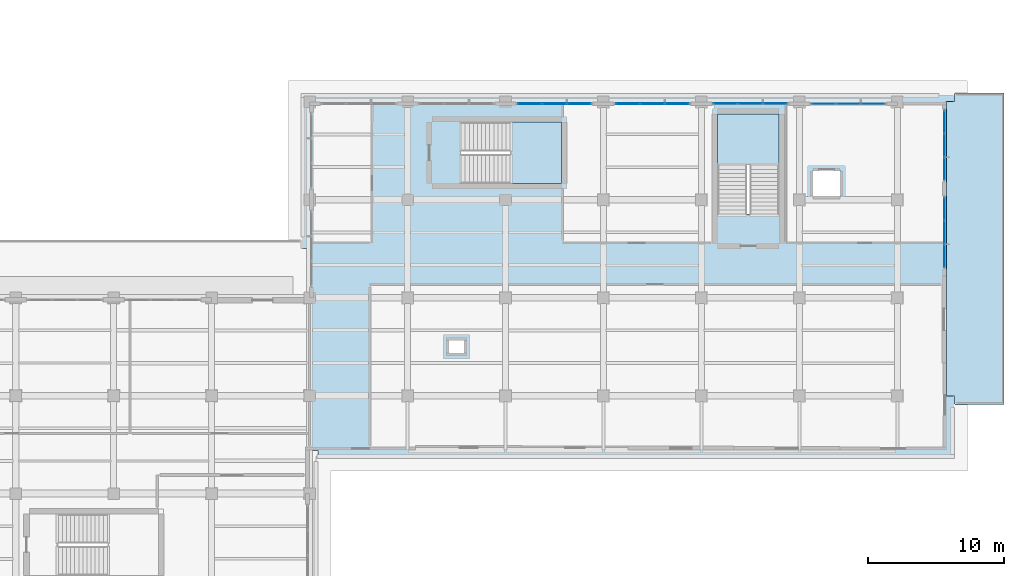
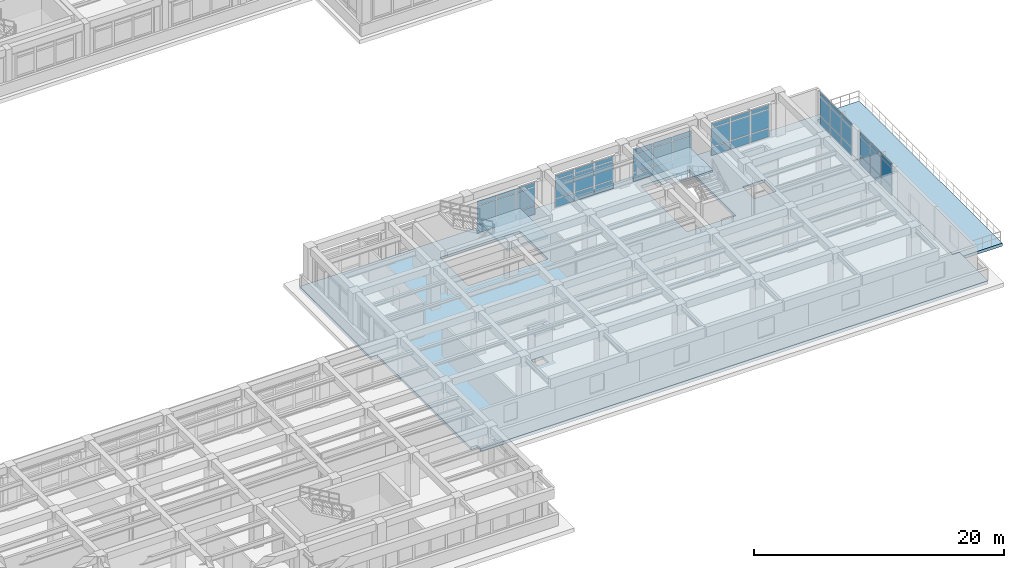
# One storey, part 75 of 98: 54 plates, 4 slabs, 8 elements without a shape of their own.
"""IFC4 building model written with IfcOpenShell, lengths in metres."""

from ifc_helpers import new_model, si_unit, direction, frame, origin, origin_2d, place, context, subcontext, project, spatial, polyline, rectangle, outline, extrude, material, layer, layer_set, type_object, element, aggregate, save


model = new_model("IFC4")

# Units and contexts
model_context = context("Model", 3, precision=1e-05, world=origin(), true_north=direction((0.0, 1.0)))
body_context = subcontext(model_context, "Body", "Model", "MODEL_VIEW")
ifc_project = project(units=[si_unit("LENGTHUNIT", "METRE"), si_unit("AREAUNIT", "SQUARE_METRE"), si_unit("VOLUMEUNIT", "CUBIC_METRE"), si_unit("PLANEANGLEUNIT", "RADIAN"), si_unit("MASSUNIT", "GRAM", prefix="KILO")], contexts=[model_context])

# Site, building, storey
site_placement = place(None, origin())
site = spatial("IfcSite", under=ifc_project, at=site_placement, CompositionType="ELEMENT")
building_placement = place(site_placement, origin())
building = spatial("IfcBuilding", under=site, at=building_placement, Name="Solenvale Faculty of Natural Sciences", CompositionType="ELEMENT")
storey_placement = place(building_placement, frame((0.0, 0.0, 9.0)))
storey = spatial("IfcBuildingStorey", under=building, at=storey_placement, Name="L02", CompositionType="ELEMENT", Elevation=9.0)

# Curtain wall, plates
ifc_material_1 = material(Name="Anodised bronze aluminium", Category="aluminium")
ifc_layer_1 = layer(ifc_material_1, 0.199951171875)
ifc_layer_set_1 = layer_set([ifc_layer_1], Name="Anodised bronze aluminium")
curtain_wall_type = type_object("IfcCurtainWallType", Name="CW-COM-FIN", PredefinedType="USERDEFINED", material=ifc_layer_set_1)
curtain_wall_1_placement = place(storey_placement, origin())
curtain_wall_1 = element("IfcCurtainWall", 1, at=curtain_wall_1_placement, inside=storey, type_object=curtain_wall_type, Name="L02 Curtain Wall CW-L02-P1-E3-B3", ObjectType="UNITISED CURTAIN WALL", PredefinedType="USERDEFINED")
ifc_material_2 = material(Name="Triple low-E insulated glass", Category="glass")
ifc_layer_2 = layer(ifc_material_2, 0.031982421875)
ifc_layer_set_2 = layer_set([ifc_layer_2], Name="Triple low-E insulated glass")
plate_type_1 = type_object("IfcPlateType", Name="CWP-PNL-32", PredefinedType="CURTAIN_PANEL", material=ifc_layer_set_2)
plate_1_placement = place(storey_placement, frame((161.857421875, 46.27197265625, 0.074951171875), z_axis=(0.0, 0.0, 1.0), x_axis=(0.0, 1.0, 0.0)))
plate_1 = element("IfcPlate", 2, at=plate_1_placement, type_object=plate_type_1, Name="CW-03 panel 1.1", PredefinedType="CURTAIN_PANEL", context=body_context, shape_type="SweptSolid", body=[
    extrude(rectangle(XDim=1.63427734375, YDim=0.031982421875, at=origin_2d()), origin(), (0.0, 0.0, 1.0), 0.78759765625),
])
plate_2_placement = place(storey_placement, frame((161.857421875, 46.27197265625, 0.9375), z_axis=(0.0, 0.0, 1.0), x_axis=(0.0, 1.0, 0.0)))
plate_2 = element("IfcPlate", 3, at=plate_2_placement, type_object=plate_type_1, Name="CW-03 panel 1.2", PredefinedType="CURTAIN_PANEL", context=body_context, shape_type="SweptSolid", body=[
    extrude(rectangle(XDim=1.63427734375, YDim=0.031982421875, at=origin_2d()), origin(), (0.0, 0.0, 1.0), 1.784912109375),
])
plate_3_placement = place(storey_placement, frame((161.857421875, 46.27197265625, 2.79736328125), z_axis=(0.0, 0.0, 1.0), x_axis=(0.0, 1.0, 0.0)))
plate_3 = element("IfcPlate", 4, at=plate_3_placement, type_object=plate_type_1, Name="CW-03 panel 1.3", PredefinedType="CURTAIN_PANEL", context=body_context, shape_type="SweptSolid", body=[
    extrude(rectangle(XDim=1.63427734375, YDim=0.031982421875, at=origin_2d()), origin(), (0.0, 0.0, 1.0), 0.387451171875),
])
plate_4_placement = place(storey_placement, frame((161.857421875, 48.0, 0.074951171875), z_axis=(0.0, 0.0, 1.0), x_axis=(0.0, 1.0, 0.0)))
plate_4 = element("IfcPlate", 5, at=plate_4_placement, type_object=plate_type_1, Name="CW-03 panel 2.1", PredefinedType="CURTAIN_PANEL", context=body_context, shape_type="SweptSolid", body=[
    extrude(rectangle(XDim=1.671630859375, YDim=0.031982421875, at=origin_2d()), origin(), (0.0, 0.0, 1.0), 0.78759765625),
])
plate_5_placement = place(storey_placement, frame((161.857421875, 48.0, 0.9375), z_axis=(0.0, 0.0, 1.0), x_axis=(0.0, 1.0, 0.0)))
plate_5 = element("IfcPlate", 6, at=plate_5_placement, type_object=plate_type_1, Name="CW-03 panel 2.2", PredefinedType="CURTAIN_PANEL", context=body_context, shape_type="SweptSolid", body=[
    extrude(rectangle(XDim=1.671630859375, YDim=0.031982421875, at=origin_2d()), origin(), (0.0, 0.0, 1.0), 1.784912109375),
])
plate_6_placement = place(storey_placement, frame((161.857421875, 48.0, 2.79736328125), z_axis=(0.0, 0.0, 1.0), x_axis=(0.0, 1.0, 0.0)))
plate_6 = element("IfcPlate", 7, at=plate_6_placement, type_object=plate_type_1, Name="CW-03 panel 2.3", PredefinedType="CURTAIN_PANEL", context=body_context, shape_type="SweptSolid", body=[
    extrude(rectangle(XDim=1.671630859375, YDim=0.031982421875, at=origin_2d()), origin(), (0.0, 0.0, 1.0), 0.387451171875),
])
plate_7_placement = place(storey_placement, frame((161.857421875, 49.72802734375, 0.074951171875), z_axis=(0.0, 0.0, 1.0), x_axis=(0.0, 1.0, 0.0)))
plate_7 = element("IfcPlate", 8, at=plate_7_placement, type_object=plate_type_1, Name="CW-03 panel 3.1", PredefinedType="CURTAIN_PANEL", context=body_context, shape_type="SweptSolid", body=[
    extrude(rectangle(XDim=1.63427734375, YDim=0.031982421875, at=origin_2d()), origin(), (0.0, 0.0, 1.0), 0.78759765625),
])
plate_8_placement = place(storey_placement, frame((161.857421875, 49.72802734375, 0.9375), z_axis=(0.0, 0.0, 1.0), x_axis=(0.0, 1.0, 0.0)))
plate_8 = element("IfcPlate", 9, at=plate_8_placement, type_object=plate_type_1, Name="CW-03 panel 3.2", PredefinedType="CURTAIN_PANEL", context=body_context, shape_type="SweptSolid", body=[
    extrude(rectangle(XDim=1.63427734375, YDim=0.031982421875, at=origin_2d()), origin(), (0.0, 0.0, 1.0), 1.784912109375),
])
plate_9_placement = place(storey_placement, frame((161.857421875, 49.72802734375, 2.79736328125), z_axis=(0.0, 0.0, 1.0), x_axis=(0.0, 1.0, 0.0)))
plate_9 = element("IfcPlate", 10, at=plate_9_placement, type_object=plate_type_1, Name="CW-03 panel 3.3", PredefinedType="CURTAIN_PANEL", context=body_context, shape_type="SweptSolid", body=[
    extrude(rectangle(XDim=1.63427734375, YDim=0.031982421875, at=origin_2d()), origin(), (0.0, 0.0, 1.0), 0.387451171875),
])
aggregate(curtain_wall_1, [plate_1, plate_2, plate_3, plate_4, plate_5, plate_6, plate_7, plate_8, plate_9])

curtain_wall_2_placement = place(storey_placement, origin())
curtain_wall_2 = element("IfcCurtainWall", 11, at=curtain_wall_2_placement, inside=storey, type_object=curtain_wall_type, Name="L02 Curtain Wall CW-L02-P1-E4-B2", ObjectType="UNITISED CURTAIN WALL", PredefinedType="USERDEFINED")
plate_10_placement = place(storey_placement, frame((156.614501953125, 57.45751953125, 0.074951171875), z_axis=(0.0, 0.0, 1.0), x_axis=(-1.0, 0.0, 0.0)))
plate_10 = element("IfcPlate", 12, at=plate_10_placement, type_object=plate_type_1, Name="CW-03 panel 1.1", PredefinedType="CURTAIN_PANEL", context=body_context, shape_type="SweptSolid", body=[
    extrude(rectangle(XDim=1.720947265625, YDim=0.031982421875, at=origin_2d()), origin(), (0.0, 0.0, 1.0), 0.78759765625),
])
plate_11_placement = place(storey_placement, frame((156.614501953125, 57.45751953125, 0.9375), z_axis=(0.0, 0.0, 1.0), x_axis=(-1.0, 0.0, 0.0)))
plate_11 = element("IfcPlate", 13, at=plate_11_placement, type_object=plate_type_1, Name="CW-03 panel 1.2", PredefinedType="CURTAIN_PANEL", context=body_context, shape_type="SweptSolid", body=[
    extrude(rectangle(XDim=1.720947265625, YDim=0.031982421875, at=origin_2d()), origin(), (0.0, 0.0, 1.0), 1.784912109375),
])
plate_12_placement = place(storey_placement, frame((156.614501953125, 57.45751953125, 2.79736328125), z_axis=(0.0, 0.0, 1.0), x_axis=(-1.0, 0.0, 0.0)))
plate_12 = element("IfcPlate", 14, at=plate_12_placement, type_object=plate_type_1, Name="CW-03 panel 1.3", PredefinedType="CURTAIN_PANEL", context=body_context, shape_type="SweptSolid", body=[
    extrude(rectangle(XDim=1.720947265625, YDim=0.031982421875, at=origin_2d()), origin(), (0.0, 0.0, 1.0), 0.387451171875),
])
plate_13_placement = place(storey_placement, frame((154.800048828125, 57.45751953125, 0.074951171875), z_axis=(0.0, 0.0, 1.0), x_axis=(-1.0, 0.0, 0.0)))
plate_13 = element("IfcPlate", 15, at=plate_13_placement, type_object=plate_type_1, Name="CW-03 panel 2.1", PredefinedType="CURTAIN_PANEL", context=body_context, shape_type="SweptSolid", body=[
    extrude(rectangle(XDim=1.75830078125, YDim=0.031982421875, at=origin_2d()), origin(), (0.0, 0.0, 1.0), 0.78759765625),
])
plate_14_placement = place(storey_placement, frame((154.800048828125, 57.45751953125, 0.9375), z_axis=(0.0, 0.0, 1.0), x_axis=(-1.0, 0.0, 0.0)))
plate_14 = element("IfcPlate", 16, at=plate_14_placement, type_object=plate_type_1, Name="CW-03 panel 2.2", PredefinedType="CURTAIN_PANEL", context=body_context, shape_type="SweptSolid", body=[
    extrude(rectangle(XDim=1.75830078125, YDim=0.031982421875, at=origin_2d()), origin(), (0.0, 0.0, 1.0), 1.784912109375),
])
plate_15_placement = place(storey_placement, frame((154.800048828125, 57.45751953125, 2.79736328125), z_axis=(0.0, 0.0, 1.0), x_axis=(-1.0, 0.0, 0.0)))
plate_15 = element("IfcPlate", 17, at=plate_15_placement, type_object=plate_type_1, Name="CW-03 panel 2.3", PredefinedType="CURTAIN_PANEL", context=body_context, shape_type="SweptSolid", body=[
    extrude(rectangle(XDim=1.75830078125, YDim=0.031982421875, at=origin_2d()), origin(), (0.0, 0.0, 1.0), 0.387451171875),
])
plate_16_placement = place(storey_placement, frame((152.9853515625, 57.45751953125, 0.074951171875), z_axis=(0.0, 0.0, 1.0), x_axis=(-1.0, 0.0, 0.0)))
plate_16 = element("IfcPlate", 18, at=plate_16_placement, type_object=plate_type_1, Name="CW-03 panel 3.1", PredefinedType="CURTAIN_PANEL", context=body_context, shape_type="SweptSolid", body=[
    extrude(rectangle(XDim=1.720947265625, YDim=0.031982421875, at=origin_2d()), origin(), (0.0, 0.0, 1.0), 0.78759765625),
])
plate_17_placement = place(storey_placement, frame((152.9853515625, 57.45751953125, 0.9375), z_axis=(0.0, 0.0, 1.0), x_axis=(-1.0, 0.0, 0.0)))
plate_17 = element("IfcPlate", 19, at=plate_17_placement, type_object=plate_type_1, Name="CW-03 panel 3.2", PredefinedType="CURTAIN_PANEL", context=body_context, shape_type="SweptSolid", body=[
    extrude(rectangle(XDim=1.720947265625, YDim=0.031982421875, at=origin_2d()), origin(), (0.0, 0.0, 1.0), 1.784912109375),
])
plate_18_placement = place(storey_placement, frame((152.9853515625, 57.45751953125, 2.79736328125), z_axis=(0.0, 0.0, 1.0), x_axis=(-1.0, 0.0, 0.0)))
plate_18 = element("IfcPlate", 20, at=plate_18_placement, type_object=plate_type_1, Name="CW-03 panel 3.3", PredefinedType="CURTAIN_PANEL", context=body_context, shape_type="SweptSolid", body=[
    extrude(rectangle(XDim=1.720947265625, YDim=0.031982421875, at=origin_2d()), origin(), (0.0, 0.0, 1.0), 0.387451171875),
])
aggregate(curtain_wall_2, [plate_10, plate_11, plate_12, plate_13, plate_14, plate_15, plate_16, plate_17, plate_18])

curtain_wall_3_placement = place(storey_placement, origin())
curtain_wall_3 = element("IfcCurtainWall", 21, at=curtain_wall_3_placement, inside=storey, type_object=curtain_wall_type, Name="L02 Curtain Wall CW-L02-P1-E3-B4", ObjectType="UNITISED CURTAIN WALL", PredefinedType="USERDEFINED")
ifc_layer_3 = layer(ifc_material_2, 0.035888671875)
ifc_layer_set_3 = layer_set([ifc_layer_3], Name="Triple low-E insulated glass")
plate_type_2 = type_object("IfcPlateType", Name="CWP-PNL-36", PredefinedType="CURTAIN_PANEL", material=ifc_layer_set_3)
plate_19_placement = place(storey_placement, frame((161.857421875, 52.672119140625, 0.074951171875), z_axis=(0.0, 0.0, 1.0), x_axis=(0.0, 1.0, 0.0)))
plate_19 = element("IfcPlate", 22, at=plate_19_placement, type_object=plate_type_2, Name="CW-03 panel 1.1", PredefinedType="CURTAIN_PANEL", context=body_context, shape_type="SweptSolid", body=[
    extrude(rectangle(XDim=1.63427734375, YDim=0.035888671875, at=origin_2d()), origin(), (0.0, 0.0, 1.0), 0.78759765625),
])
plate_20_placement = place(storey_placement, frame((161.857421875, 52.672119140625, 0.9375), z_axis=(0.0, 0.0, 1.0), x_axis=(0.0, 1.0, 0.0)))
plate_20 = element("IfcPlate", 23, at=plate_20_placement, type_object=plate_type_2, Name="CW-03 panel 1.2", PredefinedType="CURTAIN_PANEL", context=body_context, shape_type="SweptSolid", body=[
    extrude(rectangle(XDim=1.63427734375, YDim=0.035888671875, at=origin_2d()), origin(), (0.0, 0.0, 1.0), 1.784912109375),
])
plate_21_placement = place(storey_placement, frame((161.857421875, 52.672119140625, 2.79736328125), z_axis=(0.0, 0.0, 1.0), x_axis=(0.0, 1.0, 0.0)))
plate_21 = element("IfcPlate", 24, at=plate_21_placement, type_object=plate_type_2, Name="CW-03 panel 1.3", PredefinedType="CURTAIN_PANEL", context=body_context, shape_type="SweptSolid", body=[
    extrude(rectangle(XDim=1.63427734375, YDim=0.035888671875, at=origin_2d()), origin(), (0.0, 0.0, 1.0), 0.387451171875),
])
plate_22_placement = place(storey_placement, frame((161.857421875, 54.39990234375, 0.074951171875), z_axis=(0.0, 0.0, 1.0), x_axis=(0.0, 1.0, 0.0)))
plate_22 = element("IfcPlate", 25, at=plate_22_placement, type_object=plate_type_2, Name="CW-03 panel 2.1", PredefinedType="CURTAIN_PANEL", context=body_context, shape_type="SweptSolid", body=[
    extrude(rectangle(XDim=1.671630859375, YDim=0.035888671875, at=origin_2d()), origin(), (0.0, 0.0, 1.0), 0.78759765625),
])
plate_23_placement = place(storey_placement, frame((161.857421875, 54.39990234375, 0.9375), z_axis=(0.0, 0.0, 1.0), x_axis=(0.0, 1.0, 0.0)))
plate_23 = element("IfcPlate", 26, at=plate_23_placement, type_object=plate_type_2, Name="CW-03 panel 2.2", PredefinedType="CURTAIN_PANEL", context=body_context, shape_type="SweptSolid", body=[
    extrude(rectangle(XDim=1.671630859375, YDim=0.035888671875, at=origin_2d()), origin(), (0.0, 0.0, 1.0), 1.784912109375),
])
plate_24_placement = place(storey_placement, frame((161.857421875, 54.39990234375, 2.79736328125), z_axis=(0.0, 0.0, 1.0), x_axis=(0.0, 1.0, 0.0)))
plate_24 = element("IfcPlate", 27, at=plate_24_placement, type_object=plate_type_2, Name="CW-03 panel 2.3", PredefinedType="CURTAIN_PANEL", context=body_context, shape_type="SweptSolid", body=[
    extrude(rectangle(XDim=1.671630859375, YDim=0.035888671875, at=origin_2d()), origin(), (0.0, 0.0, 1.0), 0.387451171875),
])
plate_25_placement = place(storey_placement, frame((161.857421875, 56.1279296875, 0.074951171875), z_axis=(0.0, 0.0, 1.0), x_axis=(0.0, 1.0, 0.0)))
plate_25 = element("IfcPlate", 28, at=plate_25_placement, type_object=plate_type_2, Name="CW-03 panel 3.1", PredefinedType="CURTAIN_PANEL", context=body_context, shape_type="SweptSolid", body=[
    extrude(rectangle(XDim=1.63427734375, YDim=0.035888671875, at=origin_2d()), origin(), (0.0, 0.0, 1.0), 0.78759765625),
])
plate_26_placement = place(storey_placement, frame((161.857421875, 56.1279296875, 0.9375), z_axis=(0.0, 0.0, 1.0), x_axis=(0.0, 1.0, 0.0)))
plate_26 = element("IfcPlate", 29, at=plate_26_placement, type_object=plate_type_2, Name="CW-03 panel 3.2", PredefinedType="CURTAIN_PANEL", context=body_context, shape_type="SweptSolid", body=[
    extrude(rectangle(XDim=1.63427734375, YDim=0.035888671875, at=origin_2d()), origin(), (0.0, 0.0, 1.0), 1.784912109375),
])
plate_27_placement = place(storey_placement, frame((161.857421875, 56.1279296875, 2.79736328125), z_axis=(0.0, 0.0, 1.0), x_axis=(0.0, 1.0, 0.0)))
plate_27 = element("IfcPlate", 30, at=plate_27_placement, type_object=plate_type_2, Name="CW-03 panel 3.3", PredefinedType="CURTAIN_PANEL", context=body_context, shape_type="SweptSolid", body=[
    extrude(rectangle(XDim=1.63427734375, YDim=0.035888671875, at=origin_2d()), origin(), (0.0, 0.0, 1.0), 0.387451171875),
])
aggregate(curtain_wall_3, [plate_19, plate_20, plate_21, plate_22, plate_23, plate_24, plate_25, plate_26, plate_27])

curtain_wall_4_placement = place(storey_placement, origin())
curtain_wall_4 = element("IfcCurtainWall", 31, at=curtain_wall_4_placement, inside=storey, type_object=curtain_wall_type, Name="L02 Curtain Wall CW-L02-P1-E4-B3", ObjectType="UNITISED CURTAIN WALL", PredefinedType="USERDEFINED")
plate_28_placement = place(storey_placement, frame((149.41455078125, 57.45751953125, 0.074951171875), z_axis=(0.0, 0.0, 1.0), x_axis=(-1.0, 0.0, 0.0)))
plate_28 = element("IfcPlate", 32, at=plate_28_placement, type_object=plate_type_2, Name="CW-03 panel 1.1", PredefinedType="CURTAIN_PANEL", context=body_context, shape_type="SweptSolid", body=[
    extrude(rectangle(XDim=1.720947265625, YDim=0.035888671875, at=origin_2d()), origin(), (0.0, 0.0, 1.0), 0.78759765625),
])
plate_29_placement = place(storey_placement, frame((149.41455078125, 57.45751953125, 0.9375), z_axis=(0.0, 0.0, 1.0), x_axis=(-1.0, 0.0, 0.0)))
plate_29 = element("IfcPlate", 33, at=plate_29_placement, type_object=plate_type_2, Name="CW-03 panel 1.2", PredefinedType="CURTAIN_PANEL", context=body_context, shape_type="SweptSolid", body=[
    extrude(rectangle(XDim=1.720947265625, YDim=0.035888671875, at=origin_2d()), origin(), (0.0, 0.0, 1.0), 1.784912109375),
])
plate_30_placement = place(storey_placement, frame((149.41455078125, 57.45751953125, 2.79736328125), z_axis=(0.0, 0.0, 1.0), x_axis=(-1.0, 0.0, 0.0)))
plate_30 = element("IfcPlate", 34, at=plate_30_placement, type_object=plate_type_2, Name="CW-03 panel 1.3", PredefinedType="CURTAIN_PANEL", context=body_context, shape_type="SweptSolid", body=[
    extrude(rectangle(XDim=1.720947265625, YDim=0.035888671875, at=origin_2d()), origin(), (0.0, 0.0, 1.0), 0.387451171875),
])
plate_31_placement = place(storey_placement, frame((147.60009765625, 57.45751953125, 0.074951171875), z_axis=(0.0, 0.0, 1.0), x_axis=(-1.0, 0.0, 0.0)))
plate_31 = element("IfcPlate", 35, at=plate_31_placement, type_object=plate_type_2, Name="CW-03 panel 2.1", PredefinedType="CURTAIN_PANEL", context=body_context, shape_type="SweptSolid", body=[
    extrude(rectangle(XDim=1.75830078125, YDim=0.035888671875, at=origin_2d()), origin(), (0.0, 0.0, 1.0), 0.78759765625),
])
plate_32_placement = place(storey_placement, frame((147.60009765625, 57.45751953125, 0.9375), z_axis=(0.0, 0.0, 1.0), x_axis=(-1.0, 0.0, 0.0)))
plate_32 = element("IfcPlate", 36, at=plate_32_placement, type_object=plate_type_2, Name="CW-03 panel 2.2", PredefinedType="CURTAIN_PANEL", context=body_context, shape_type="SweptSolid", body=[
    extrude(rectangle(XDim=1.75830078125, YDim=0.035888671875, at=origin_2d()), origin(), (0.0, 0.0, 1.0), 1.784912109375),
])
plate_33_placement = place(storey_placement, frame((147.60009765625, 57.45751953125, 2.79736328125), z_axis=(0.0, 0.0, 1.0), x_axis=(-1.0, 0.0, 0.0)))
plate_33 = element("IfcPlate", 37, at=plate_33_placement, type_object=plate_type_2, Name="CW-03 panel 2.3", PredefinedType="CURTAIN_PANEL", context=body_context, shape_type="SweptSolid", body=[
    extrude(rectangle(XDim=1.75830078125, YDim=0.035888671875, at=origin_2d()), origin(), (0.0, 0.0, 1.0), 0.387451171875),
])
plate_34_placement = place(storey_placement, frame((145.785400390625, 57.45751953125, 0.074951171875), z_axis=(0.0, 0.0, 1.0), x_axis=(-1.0, 0.0, 0.0)))
plate_34 = element("IfcPlate", 38, at=plate_34_placement, type_object=plate_type_2, Name="CW-03 panel 3.1", PredefinedType="CURTAIN_PANEL", context=body_context, shape_type="SweptSolid", body=[
    extrude(rectangle(XDim=1.720947265625, YDim=0.035888671875, at=origin_2d()), origin(), (0.0, 0.0, 1.0), 0.78759765625),
])
plate_35_placement = place(storey_placement, frame((145.785400390625, 57.45751953125, 0.9375), z_axis=(0.0, 0.0, 1.0), x_axis=(-1.0, 0.0, 0.0)))
plate_35 = element("IfcPlate", 39, at=plate_35_placement, type_object=plate_type_2, Name="CW-03 panel 3.2", PredefinedType="CURTAIN_PANEL", context=body_context, shape_type="SweptSolid", body=[
    extrude(rectangle(XDim=1.720947265625, YDim=0.035888671875, at=origin_2d()), origin(), (0.0, 0.0, 1.0), 1.784912109375),
])
plate_36_placement = place(storey_placement, frame((145.785400390625, 57.45751953125, 2.79736328125), z_axis=(0.0, 0.0, 1.0), x_axis=(-1.0, 0.0, 0.0)))
plate_36 = element("IfcPlate", 40, at=plate_36_placement, type_object=plate_type_2, Name="CW-03 panel 3.3", PredefinedType="CURTAIN_PANEL", context=body_context, shape_type="SweptSolid", body=[
    extrude(rectangle(XDim=1.720947265625, YDim=0.035888671875, at=origin_2d()), origin(), (0.0, 0.0, 1.0), 0.387451171875),
])
aggregate(curtain_wall_4, [plate_28, plate_29, plate_30, plate_31, plate_32, plate_33, plate_34, plate_35, plate_36])

curtain_wall_5_placement = place(storey_placement, origin())
curtain_wall_5 = element("IfcCurtainWall", 41, at=curtain_wall_5_placement, inside=storey, type_object=curtain_wall_type, Name="L02 Curtain Wall CW-L02-P1-E4-B4", ObjectType="UNITISED CURTAIN WALL", PredefinedType="USERDEFINED")
ifc_layer_4 = layer(ifc_material_2, 0.0400390625)
ifc_layer_set_4 = layer_set([ifc_layer_4], Name="Triple low-E insulated glass")
plate_type_3 = type_object("IfcPlateType", Name="CWP-PNL-40", PredefinedType="CURTAIN_PANEL", material=ifc_layer_set_4)
plate_37_placement = place(storey_placement, frame((142.214599609375, 57.45751953125, 0.074951171875), z_axis=(0.0, 0.0, 1.0), x_axis=(-1.0, 0.0, 0.0)))
plate_37 = element("IfcPlate", 42, at=plate_37_placement, type_object=plate_type_3, Name="CW-03 panel 1.1", PredefinedType="CURTAIN_PANEL", context=body_context, shape_type="SweptSolid", body=[
    extrude(rectangle(XDim=1.720947265625, YDim=0.0400390625, at=origin_2d()), origin(), (0.0, 0.0, 1.0), 0.78759765625),
])
plate_38_placement = place(storey_placement, frame((142.214599609375, 57.45751953125, 0.9375), z_axis=(0.0, 0.0, 1.0), x_axis=(-1.0, 0.0, 0.0)))
plate_38 = element("IfcPlate", 43, at=plate_38_placement, type_object=plate_type_3, Name="CW-03 panel 1.2", PredefinedType="CURTAIN_PANEL", context=body_context, shape_type="SweptSolid", body=[
    extrude(rectangle(XDim=1.720947265625, YDim=0.0400390625, at=origin_2d()), origin(), (0.0, 0.0, 1.0), 1.784912109375),
])
plate_39_placement = place(storey_placement, frame((142.214599609375, 57.45751953125, 2.79736328125), z_axis=(0.0, 0.0, 1.0), x_axis=(-1.0, 0.0, 0.0)))
plate_39 = element("IfcPlate", 44, at=plate_39_placement, type_object=plate_type_3, Name="CW-03 panel 1.3", PredefinedType="CURTAIN_PANEL", context=body_context, shape_type="SweptSolid", body=[
    extrude(rectangle(XDim=1.720947265625, YDim=0.0400390625, at=origin_2d()), origin(), (0.0, 0.0, 1.0), 0.387451171875),
])
plate_40_placement = place(storey_placement, frame((140.39990234375, 57.45751953125, 0.074951171875), z_axis=(0.0, 0.0, 1.0), x_axis=(-1.0, 0.0, 0.0)))
plate_40 = element("IfcPlate", 45, at=plate_40_placement, type_object=plate_type_3, Name="CW-03 panel 2.1", PredefinedType="CURTAIN_PANEL", context=body_context, shape_type="SweptSolid", body=[
    extrude(rectangle(XDim=1.75830078125, YDim=0.0400390625, at=origin_2d()), origin(), (0.0, 0.0, 1.0), 0.78759765625),
])
plate_41_placement = place(storey_placement, frame((140.39990234375, 57.45751953125, 0.9375), z_axis=(0.0, 0.0, 1.0), x_axis=(-1.0, 0.0, 0.0)))
plate_41 = element("IfcPlate", 46, at=plate_41_placement, type_object=plate_type_3, Name="CW-03 panel 2.2", PredefinedType="CURTAIN_PANEL", context=body_context, shape_type="SweptSolid", body=[
    extrude(rectangle(XDim=1.75830078125, YDim=0.0400390625, at=origin_2d()), origin(), (0.0, 0.0, 1.0), 1.784912109375),
])
plate_42_placement = place(storey_placement, frame((140.39990234375, 57.45751953125, 2.79736328125), z_axis=(0.0, 0.0, 1.0), x_axis=(-1.0, 0.0, 0.0)))
plate_42 = element("IfcPlate", 47, at=plate_42_placement, type_object=plate_type_3, Name="CW-03 panel 2.3", PredefinedType="CURTAIN_PANEL", context=body_context, shape_type="SweptSolid", body=[
    extrude(rectangle(XDim=1.75830078125, YDim=0.0400390625, at=origin_2d()), origin(), (0.0, 0.0, 1.0), 0.387451171875),
])
plate_43_placement = place(storey_placement, frame((138.58544921875, 57.45751953125, 0.074951171875), z_axis=(0.0, 0.0, 1.0), x_axis=(-1.0, 0.0, 0.0)))
plate_43 = element("IfcPlate", 48, at=plate_43_placement, type_object=plate_type_3, Name="CW-03 panel 3.1", PredefinedType="CURTAIN_PANEL", context=body_context, shape_type="SweptSolid", body=[
    extrude(rectangle(XDim=1.720947265625, YDim=0.0400390625, at=origin_2d()), origin(), (0.0, 0.0, 1.0), 0.78759765625),
])
plate_44_placement = place(storey_placement, frame((138.58544921875, 57.45751953125, 0.9375), z_axis=(0.0, 0.0, 1.0), x_axis=(-1.0, 0.0, 0.0)))
plate_44 = element("IfcPlate", 49, at=plate_44_placement, type_object=plate_type_3, Name="CW-03 panel 3.2", PredefinedType="CURTAIN_PANEL", context=body_context, shape_type="SweptSolid", body=[
    extrude(rectangle(XDim=1.720947265625, YDim=0.0400390625, at=origin_2d()), origin(), (0.0, 0.0, 1.0), 1.784912109375),
])
plate_45_placement = place(storey_placement, frame((138.58544921875, 57.45751953125, 2.79736328125), z_axis=(0.0, 0.0, 1.0), x_axis=(-1.0, 0.0, 0.0)))
plate_45 = element("IfcPlate", 50, at=plate_45_placement, type_object=plate_type_3, Name="CW-03 panel 3.3", PredefinedType="CURTAIN_PANEL", context=body_context, shape_type="SweptSolid", body=[
    extrude(rectangle(XDim=1.720947265625, YDim=0.0400390625, at=origin_2d()), origin(), (0.0, 0.0, 1.0), 0.387451171875),
])
aggregate(curtain_wall_5, [plate_37, plate_38, plate_39, plate_40, plate_41, plate_42, plate_43, plate_44, plate_45])

curtain_wall_6_placement = place(storey_placement, origin())
curtain_wall_6 = element("IfcCurtainWall", 51, at=curtain_wall_6_placement, inside=storey, type_object=curtain_wall_type, Name="L02 Curtain Wall CW-L02-P1-E4-B5", ObjectType="UNITISED CURTAIN WALL", PredefinedType="USERDEFINED")
ifc_layer_5 = layer(ifc_material_2, 0.0439453125)
ifc_layer_set_5 = layer_set([ifc_layer_5], Name="Triple low-E insulated glass")
plate_type_4 = type_object("IfcPlateType", Name="CWP-PNL-44", PredefinedType="CURTAIN_PANEL", material=ifc_layer_set_5)
plate_46_placement = place(storey_placement, frame((135.0146484375, 57.45751953125, 0.074951171875), z_axis=(0.0, 0.0, 1.0), x_axis=(-1.0, 0.0, 0.0)))
plate_46 = element("IfcPlate", 52, at=plate_46_placement, type_object=plate_type_4, Name="CW-03 panel 1.1", PredefinedType="CURTAIN_PANEL", context=body_context, shape_type="SweptSolid", body=[
    extrude(rectangle(XDim=1.720947265625, YDim=0.0439453125, at=origin_2d()), origin(), (0.0, 0.0, 1.0), 0.78759765625),
])
plate_47_placement = place(storey_placement, frame((135.0146484375, 57.45751953125, 0.9375), z_axis=(0.0, 0.0, 1.0), x_axis=(-1.0, 0.0, 0.0)))
plate_47 = element("IfcPlate", 53, at=plate_47_placement, type_object=plate_type_4, Name="CW-03 panel 1.2", PredefinedType="CURTAIN_PANEL", context=body_context, shape_type="SweptSolid", body=[
    extrude(rectangle(XDim=1.720947265625, YDim=0.0439453125, at=origin_2d()), origin(), (0.0, 0.0, 1.0), 1.784912109375),
])
plate_48_placement = place(storey_placement, frame((135.0146484375, 57.45751953125, 2.79736328125), z_axis=(0.0, 0.0, 1.0), x_axis=(-1.0, 0.0, 0.0)))
plate_48 = element("IfcPlate", 54, at=plate_48_placement, type_object=plate_type_4, Name="CW-03 panel 1.3", PredefinedType="CURTAIN_PANEL", context=body_context, shape_type="SweptSolid", body=[
    extrude(rectangle(XDim=1.720947265625, YDim=0.0439453125, at=origin_2d()), origin(), (0.0, 0.0, 1.0), 0.387451171875),
])
plate_49_placement = place(storey_placement, frame((133.199951171875, 57.45751953125, 0.074951171875), z_axis=(0.0, 0.0, 1.0), x_axis=(-1.0, 0.0, 0.0)))
plate_49 = element("IfcPlate", 55, at=plate_49_placement, type_object=plate_type_4, Name="CW-03 panel 2.1", PredefinedType="CURTAIN_PANEL", context=body_context, shape_type="SweptSolid", body=[
    extrude(rectangle(XDim=1.75830078125, YDim=0.0439453125, at=origin_2d()), origin(), (0.0, 0.0, 1.0), 0.78759765625),
])
plate_50_placement = place(storey_placement, frame((133.199951171875, 57.45751953125, 0.9375), z_axis=(0.0, 0.0, 1.0), x_axis=(-1.0, 0.0, 0.0)))
plate_50 = element("IfcPlate", 56, at=plate_50_placement, type_object=plate_type_4, Name="CW-03 panel 2.2", PredefinedType="CURTAIN_PANEL", context=body_context, shape_type="SweptSolid", body=[
    extrude(rectangle(XDim=1.75830078125, YDim=0.0439453125, at=origin_2d()), origin(), (0.0, 0.0, 1.0), 1.784912109375),
])
plate_51_placement = place(storey_placement, frame((133.199951171875, 57.45751953125, 2.79736328125), z_axis=(0.0, 0.0, 1.0), x_axis=(-1.0, 0.0, 0.0)))
plate_51 = element("IfcPlate", 57, at=plate_51_placement, type_object=plate_type_4, Name="CW-03 panel 2.3", PredefinedType="CURTAIN_PANEL", context=body_context, shape_type="SweptSolid", body=[
    extrude(rectangle(XDim=1.75830078125, YDim=0.0439453125, at=origin_2d()), origin(), (0.0, 0.0, 1.0), 0.387451171875),
])
plate_52_placement = place(storey_placement, frame((131.385498046875, 57.45751953125, 0.074951171875), z_axis=(0.0, 0.0, 1.0), x_axis=(-1.0, 0.0, 0.0)))
plate_52 = element("IfcPlate", 58, at=plate_52_placement, type_object=plate_type_4, Name="CW-03 panel 3.1", PredefinedType="CURTAIN_PANEL", context=body_context, shape_type="SweptSolid", body=[
    extrude(rectangle(XDim=1.720947265625, YDim=0.0439453125, at=origin_2d()), origin(), (0.0, 0.0, 1.0), 0.78759765625),
])
plate_53_placement = place(storey_placement, frame((131.385498046875, 57.45751953125, 0.9375), z_axis=(0.0, 0.0, 1.0), x_axis=(-1.0, 0.0, 0.0)))
plate_53 = element("IfcPlate", 59, at=plate_53_placement, type_object=plate_type_4, Name="CW-03 panel 3.2", PredefinedType="CURTAIN_PANEL", context=body_context, shape_type="SweptSolid", body=[
    extrude(rectangle(XDim=1.720947265625, YDim=0.0439453125, at=origin_2d()), origin(), (0.0, 0.0, 1.0), 1.784912109375),
])
plate_54_placement = place(storey_placement, frame((131.385498046875, 57.45751953125, 2.79736328125), z_axis=(0.0, 0.0, 1.0), x_axis=(-1.0, 0.0, 0.0)))
plate_54 = element("IfcPlate", 60, at=plate_54_placement, type_object=plate_type_4, Name="CW-03 panel 3.3", PredefinedType="CURTAIN_PANEL", context=body_context, shape_type="SweptSolid", body=[
    extrude(rectangle(XDim=1.720947265625, YDim=0.0439453125, at=origin_2d()), origin(), (0.0, 0.0, 1.0), 0.387451171875),
])
aggregate(curtain_wall_6, [plate_46, plate_47, plate_48, plate_49, plate_50, plate_51, plate_52, plate_53, plate_54])

# Slab
ifc_material_3 = material(Name="Concrete 40 MPa", Category="concrete")
ifc_layer_6 = layer(ifc_material_3, 0.280029296875)
ifc_layer_set_6 = layer_set([ifc_layer_6], Name="Concrete 40 MPa")
slab_type_1 = type_object("IfcSlabType", Name="SL-FLR-280", PredefinedType="FLOOR", material=ifc_layer_set_6)
slab_1_placement = place(storey_placement, frame((0.0, 0.0, -0.280029296875)))
element("IfcSlab", 61, at=slab_1_placement, inside=storey, type_object=slab_type_1, Name="L02 V2 Floor Slab 1.1", PredefinedType="FLOOR", context=body_context, shape_type="SweptSolid", body=[
    extrude(outline(polyline([(115.199951171875, 46.820068359375), (114.60498046875, 46.820068359375), (114.58740234375, 46.827392578125), (114.580078125, 46.842529296875), (114.580078125, 58.195068359375), (114.585693359375, 58.2109375), (114.60009765625, 58.219482421875), (162.602294921875, 58.218994140625), (162.6201171875, 58.195068359375), (162.6201171875, 57.64501953125), (162.61279296875, 57.627197265625), (162.594970703125, 57.6201171875), (161.999755859375, 57.6201171875), (161.9853515625, 57.61376953125), (161.97998046875, 57.60009765625), (161.99462890625, 57.591064453125), (162.0, 57.575439453125), (162.0, 35.980712890625), (162.594970703125, 35.97998046875), (162.61083984375, 35.974365234375), (162.619873046875, 35.95751953125), (162.618896484375, 31.397705078125), (162.594970703125, 31.3798828125), (115.837646484375, 31.381103515625), (115.820068359375, 31.405029296875), (115.820068359375, 31.97998046875), (115.2548828125, 31.97998046875), (115.2373046875, 31.9873046875), (115.22998046875, 32.0048828125), (115.22998046875, 43.19921875), (115.22509765625, 43.216064453125), (115.20556640625, 43.23095703125), (115.199951171875, 43.24658203125), (115.199951171875, 46.820068359375)]), holes=[polyline([(152.18505859375, 50.659912109375), (154.215087890625, 50.659912109375), (154.215087890625, 52.5400390625), (152.18505859375, 52.5400390625), (152.18505859375, 50.659912109375)]), polyline([(145.199951171875, 49.340087890625), (149.699951171875, 49.340087890625), (149.699951171875, 56.699951171875), (145.199951171875, 56.699951171875), (145.199951171875, 49.340087890625)]), polyline([(126.340087890625, 51.60009765625), (133.699951171875, 51.60009765625), (133.699951171875, 56.10009765625), (126.340087890625, 56.10009765625), (126.340087890625, 51.60009765625)]), polyline([(125.449951171875, 39.14990234375), (126.550048828125, 39.14990234375), (126.550048828125, 40.050048828125), (125.449951171875, 40.050048828125), (125.449951171875, 39.14990234375)])]), origin(), (0.0, 0.0, 1.0), 0.280029296875),
])

# Stair, slab
stair_type = type_object("IfcStairType", Name="STR-CORE-25R", PredefinedType="DOUBLE_RETURN_STAIR", material=ifc_material_3)
stair_1_placement = place(storey_placement, origin())
stair_1 = element("IfcStair", 62, at=stair_1_placement, inside=storey, type_object=stair_type, Name="L02 Protected Exit Stair ST-02", PredefinedType="DOUBLE_RETURN_STAIR")
ifc_layer_7 = layer(ifc_material_3, 0.195068359375)
ifc_layer_set_7 = layer_set([ifc_layer_7], Name="Concrete 40 MPa")
slab_type_2 = type_object("IfcSlabType", Name="SL-LND-195", PredefinedType="LANDING", material=ifc_layer_set_7)
slab_2_placement = place(storey_placement, frame((0.0, 0.0, 2.050048828125)))
slab_2 = element("IfcSlab", 63, at=slab_2_placement, type_object=slab_type_2, Name="ST-02 landing 1", PredefinedType="LANDING", context=body_context, shape_type="SweptSolid", body=[
    extrude(outline(polyline([(149.699951171875, 52.93994140625), (149.699951171875, 56.699951171875), (145.199951171875, 56.699951171875), (145.199951171875, 52.93994140625), (149.699951171875, 52.93994140625)])), origin(), (0.0, 0.0, 1.0), 0.199951171875),
])
aggregate(stair_1, [slab_2])

stair_2_placement = place(storey_placement, origin())
stair_2 = element("IfcStair", 64, at=stair_2_placement, inside=storey, type_object=stair_type, Name="L02 Protected Exit Stair ST-08", PredefinedType="DOUBLE_RETURN_STAIR")
slab_3_placement = place(storey_placement, frame((0.0, 0.0, 2.050048828125)))
slab_3 = element("IfcSlab", 65, at=slab_3_placement, type_object=slab_type_2, Name="ST-08 landing 1", PredefinedType="LANDING", context=body_context, shape_type="SweptSolid", body=[
    extrude(outline(polyline([(129.93994140625, 51.60009765625), (133.699951171875, 51.60009765625), (133.699951171875, 56.10009765625), (129.93994140625, 56.10009765625), (129.93994140625, 51.60009765625)])), origin(), (0.0, 0.0, 1.0), 0.199951171875),
])
aggregate(stair_2, [slab_3])

# Slab
ifc_material_4 = material(Name="Precast terrace paving concrete 35 MPa", Category="concrete")
ifc_layer_8 = layer(ifc_material_4, 0.280029296875)
ifc_layer_set_8 = layer_set([ifc_layer_8], Name="Precast terrace paving concrete 35 MPa")
slab_type_3 = type_object("IfcSlabType", Name="SL-TERR-280", PredefinedType="FLOOR", material=ifc_layer_set_8)
slab_4_placement = place(storey_placement, frame((0.0, 0.0, -0.280029296875)))
element("IfcSlab", 66, at=slab_4_placement, inside=storey, type_object=slab_type_3, Name="L02 Commons East Shaded Terrace 1", PredefinedType="FLOOR", context=body_context, shape_type="SweptSolid", body=[
    extrude(outline(polyline([(162.0, 57.60009765625), (162.005859375, 57.614013671875), (162.02001953125, 57.6201171875), (162.6201171875, 57.6201171875), (162.6201171875, 58.219970703125), (162.6259765625, 58.234130859375), (162.637939453125, 58.239990234375), (166.219970703125, 58.239990234375), (166.239501953125, 58.223876953125), (166.239990234375, 35.3798828125), (166.223876953125, 35.3603515625), (162.635986328125, 35.3603515625), (162.6201171875, 35.3798828125), (162.6201171875, 35.97998046875), (162.02001953125, 35.97998046875), (162.00048828125, 35.99609375), (162.0, 57.60009765625)])), origin(), (0.0, 0.0, 1.0), 0.280029296875),
])

save(model, "model.ifc")
